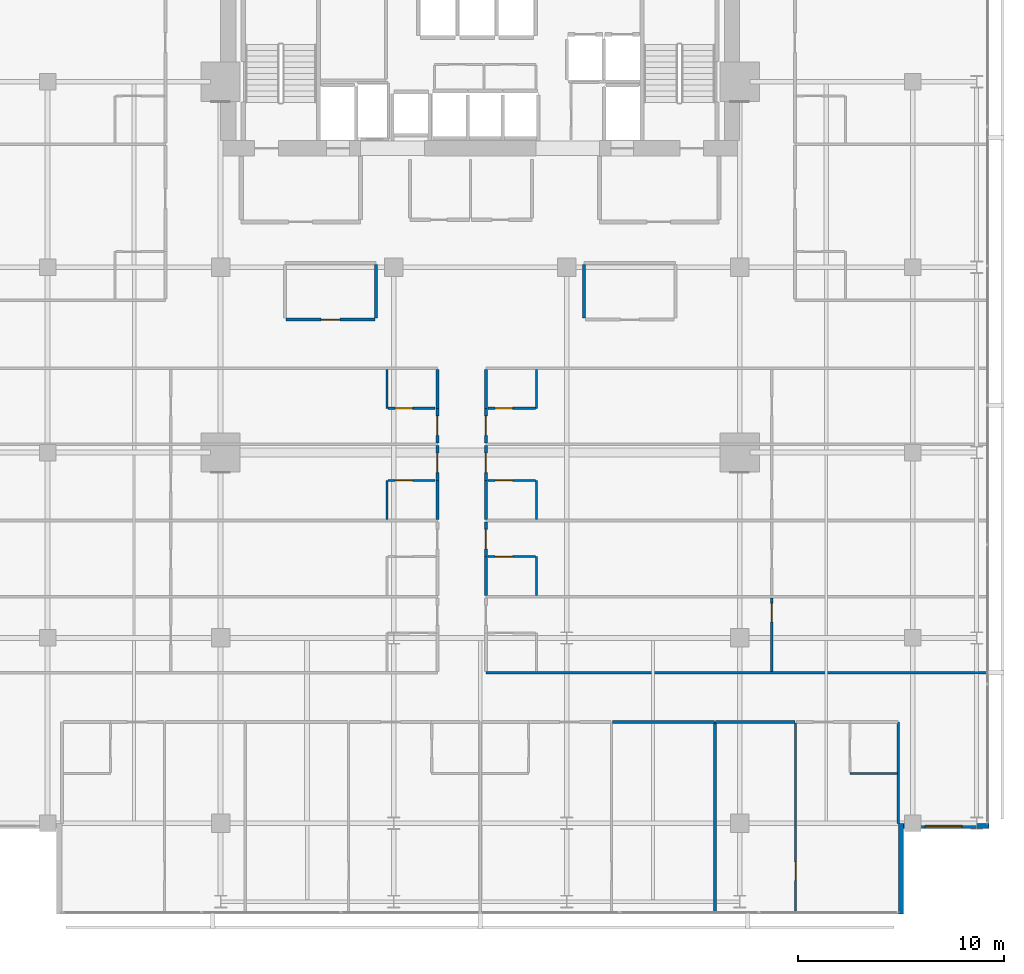
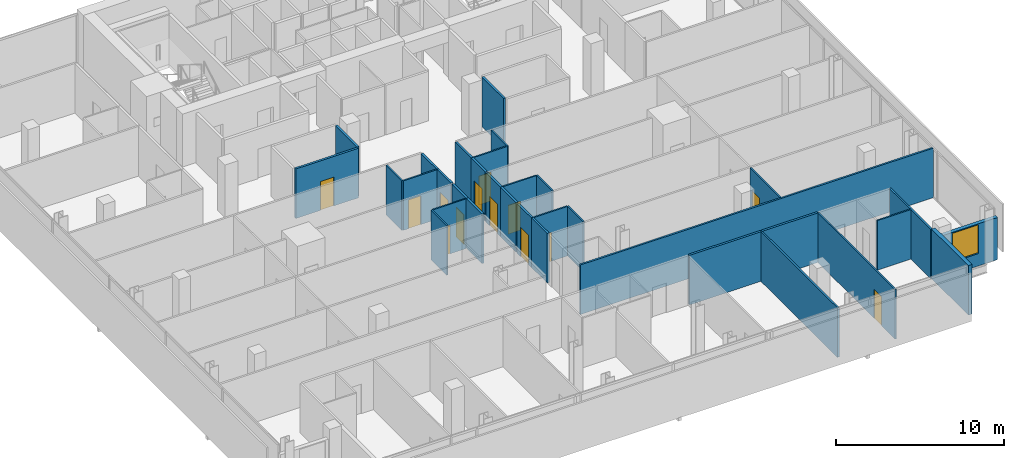
# One storey, part 28 of 34: 33 walls, 13 doors, 1 window, 14 openings.
"""IFC4 building model written with IfcOpenShell, lengths in metres."""

from ifc_helpers import new_model, si_unit, direction, frame, frame_2d, origin, place, context, subcontext, project, spatial, rectangle, extrude, material, layer, layer_set, type_object, element, fill, save


model = new_model("IFC4")

# Units and contexts
model_context = context("Model", 3, precision=1e-05, world=origin(), true_north=direction((0.0, 1.0)))
body_context = subcontext(model_context, "Body", "Model", "MODEL_VIEW")
ifc_project = project(units=[si_unit("LENGTHUNIT", "METRE"), si_unit("AREAUNIT", "SQUARE_METRE"), si_unit("VOLUMEUNIT", "CUBIC_METRE"), si_unit("PLANEANGLEUNIT", "RADIAN"), si_unit("MASSUNIT", "GRAM", prefix="KILO")], contexts=[model_context])

# Site, building, storey
site_placement = place(None, origin())
site = spatial("IfcSite", under=ifc_project, at=site_placement, CompositionType="ELEMENT")
building_placement = place(site_placement, origin())
building = spatial("IfcBuilding", under=site, at=building_placement, Name="Maruvema Waterfront Hotel and Observation Tower", CompositionType="ELEMENT")
storey_placement = place(building_placement, frame((0.0, 0.0, 192.85009765625)))
storey = spatial("IfcBuildingStorey", under=building, at=storey_placement, Name="L47", CompositionType="ELEMENT", Elevation=192.85009765625)

# Wall
ifc_material_1 = material(Name="Twin-stud acoustic gypsum drywall", Category="gypsum")
ifc_layer_1 = layer(ifc_material_1, 0.14990234375, Name="Acoustic Corridor and Suite Demising Wall 150 mm")
ifc_layer_set_1 = layer_set([ifc_layer_1], Name="Twin-stud acoustic gypsum drywall")
wall_type_1 = type_object("IfcWallType", Name="Acoustic Corridor and Suite Demising Wall 150 mm", PredefinedType="PARTITIONING", material=ifc_layer_set_1)
wall_1_placement = place(storey_placement, frame((32.75, 33.530029296875, 0.0), z_axis=(0.0, 0.0, 1.0), x_axis=(0.0, 1.0, 0.0)))
element("IfcWall", 1, at=wall_1_placement, inside=storey, type_object=wall_type_1, Name="L47 L47-M1 East Wall 029", PredefinedType="PARTITIONING", context=body_context, shape_type="SweptSolid", body=[
    extrude(rectangle(XDim=2.590087890625, YDim=0.14990234375, at=frame_2d((1.294921875, 0.0))), origin(), (0.0, 0.0, 1.0), 3.60986328125),
])

# Wall, opening, door
wall_2_placement = place(storey_placement, frame((28.3798828125, 33.449951171875, 0.0), z_axis=(0.0, 0.0, 1.0), x_axis=(1.0, 0.0, 0.0)))
wall_2 = element("IfcWall", 2, at=wall_2_placement, inside=storey, type_object=wall_type_1, Name="L47 L47-M1 Front 1 030", PredefinedType="PARTITIONING", context=body_context, shape_type="SweptSolid", body=[
    extrude(rectangle(XDim=4.31005859375, YDim=0.14990234375, at=frame_2d((2.155029296875, 0.0))), origin(), (0.0, 0.0, 1.0), 3.60986328125),
])
opening_1_placement = place(wall_2_placement, frame((1.705078125, 0.0, 0.0)))
opening_1 = element("IfcOpeningElement", 3, at=opening_1_placement, cuts=wall_2, Name="Opening DR-090", PredefinedType="OPENING", context=body_context, shape_type="SweptSolid", body=[
    extrude(rectangle(XDim=0.89990234375, YDim=2.10009765625, at=frame_2d((0.449951171875, 1.050048828125))), frame((0.0, 0.0849609375, 0.0), z_axis=(0.0, -1.0, 0.0), x_axis=(1.0, 0.0, 0.0)), (0.0, 0.0, 1.0), 0.169921875),
])
ifc_material_2 = material(Name="Solid-core lacquered timber leaf", Category="wood")
door_type_1 = type_object("IfcDoorType", Name="Accessible Toilet and Room Door 900x2100 mm", OperationType="NOTDEFINED", PredefinedType="DOOR", material=ifc_material_2)
door_1_placement = place(opening_1_placement, frame((0.89990234375, 0.0, 0.0), z_axis=(0.0, 0.0, 1.0), x_axis=(-1.0, 0.0, 0.0)))
door_1 = element("IfcDoor", 4, at=door_1_placement, inside=storey, type_object=door_type_1, Name="L47 Library Lounge 1 Door", OperationType="SINGLE_SWING_LEFT", OverallHeight=2.10009765625, OverallWidth=0.89990234375, PredefinedType="DOOR", context=body_context, shape_type="SweptSolid", body=[
    extrude(rectangle(XDim=0.89990234375, YDim=2.10009765625, at=frame_2d((0.449951171875, 1.050048828125))), frame((0.0, 0.02490234375, 0.0), z_axis=(0.0, -1.0, 0.0), x_axis=(1.0, 0.0, 0.0)), (0.0, 0.0, 1.0), 0.050048828125),
])
fill(opening_1, door_1)

# Walls
wall_3_placement = place(storey_placement, frame((42.85009765625, 33.530029296875, 0.0), z_axis=(0.0, 0.0, 1.0), x_axis=(0.0, 1.0, 0.0)))
element("IfcWall", 5, at=wall_3_placement, inside=storey, type_object=wall_type_1, Name="L47 L47-M2 West Wall 032", PredefinedType="PARTITIONING", context=body_context, shape_type="SweptSolid", body=[
    extrude(rectangle(XDim=2.590087890625, YDim=0.14990234375, at=frame_2d((1.294921875, 0.0))), origin(), (0.0, 0.0, 1.0), 3.60986328125),
])
wall_4_placement = place(storey_placement, frame((44.22412109375, 13.919921875, 0.0), z_axis=(0.0, 0.0, 1.0), x_axis=(1.0, 0.0, 0.0)))
element("IfcWall", 6, at=wall_4_placement, inside=storey, type_object=wall_type_1, Name="L47 Bedroom L47-S3 Back Wall 055", PredefinedType="PARTITIONING", context=body_context, shape_type="SweptSolid", body=[
    extrude(rectangle(XDim=4.955810546875, YDim=0.14990234375, at=frame_2d((2.47802734375, 0.0))), origin(), (0.0, 0.0, 1.0), 3.60986328125),
])
wall_5_placement = place(storey_placement, frame((49.219970703125, 13.919921875, 0.0), z_axis=(0.0, 0.0, 1.0), x_axis=(1.0, 0.0, 0.0)))
element("IfcWall", 7, at=wall_5_placement, inside=storey, type_object=wall_type_1, Name="L47 Bedroom L47-S4 Back Wall 061", PredefinedType="PARTITIONING", context=body_context, shape_type="SweptSolid", body=[
    extrude(rectangle(XDim=3.85595703125, YDim=0.14990234375, at=frame_2d((1.927978515625, 0.0))), origin(), (0.0, 0.0, 1.0), 3.60986328125),
])
wall_6_placement = place(storey_placement, frame((38.080078125, 20.06005859375, 0.0), z_axis=(0.0, 0.0, 1.0), x_axis=(0.0, 1.0, 0.0)))
element("IfcWall", 8, at=wall_6_placement, inside=storey, type_object=wall_type_1, Name="L47 Bath L47-E2 Wall 085", PredefinedType="PARTITIONING", context=body_context, shape_type="SweptSolid", body=[
    extrude(rectangle(XDim=1.889892578125, YDim=0.14990234375, at=frame_2d((0.94482421875, 0.0))), origin(), (0.0, 0.0, 1.0), 3.60986328125),
])

# Wall, opening, door
wall_7_placement = place(storey_placement, frame((38.080078125, 21.949951171875, 0.0), z_axis=(0.0, 0.0, 1.0), x_axis=(0.0, 1.0, 0.0)))
wall_7 = element("IfcWall", 9, at=wall_7_placement, inside=storey, type_object=wall_type_1, Name="L47 Room L47-E2 Corridor Wall 086", PredefinedType="PARTITIONING", context=body_context, shape_type="SweptSolid", body=[
    extrude(rectangle(XDim=1.68994140625, YDim=0.14990234375, at=frame_2d((0.844970703125, 0.0))), origin(), (0.0, 0.0, 1.0), 3.60986328125),
])
opening_2_placement = place(wall_7_placement, frame((0.3701171875, 0.0, 0.0)))
opening_2 = element("IfcOpeningElement", 10, at=opening_2_placement, cuts=wall_7, Name="Opening DR-095", PredefinedType="OPENING", context=body_context, shape_type="SweptSolid", body=[
    extrude(rectangle(XDim=0.949951171875, YDim=2.14990234375, at=frame_2d((0.47509765625, 1.074951171875))), frame((0.0, 0.0849609375, 0.0), z_axis=(0.0, -1.0, 0.0), x_axis=(1.0, 0.0, 0.0)), (0.0, 0.0, 1.0), 0.169921875),
])
ifc_material_3 = material(Name="Acoustic solid-core hardwood timber leaf", Category="wood")
door_type_2 = type_object("IfcDoorType", Name="Guestroom Entrance Fire Door 950x2150 mm", OperationType="NOTDEFINED", PredefinedType="DOOR", material=ifc_material_3)
door_2_placement = place(opening_2_placement, frame((0.949951171875, 0.0, 0.0), z_axis=(0.0, 0.0, 1.0), x_axis=(-1.0, 0.0, 0.0)))
door_2 = element("IfcDoor", 11, at=door_2_placement, inside=storey, type_object=door_type_2, Name="L47 Room L47-E2 Entrance Door", OperationType="SINGLE_SWING_LEFT", OverallHeight=2.14990234375, OverallWidth=0.949951171875, PredefinedType="DOOR", context=body_context, shape_type="SweptSolid", body=[
    extrude(rectangle(XDim=0.949951171875, YDim=2.14990234375, at=frame_2d((0.47509765625, 1.074951171875))), frame((0.0, 0.02490234375, 0.0), z_axis=(0.0, -1.0, 0.0), x_axis=(1.0, 0.0, 0.0)), (0.0, 0.0, 1.0), 0.050048828125),
])
fill(opening_2, door_2)

# Wall
wall_8_placement = place(storey_placement, frame((35.719970703125, 23.760009765625, 0.0), z_axis=(0.0, 0.0, 1.0), x_axis=(0.0, 1.0, 0.0)))
element("IfcWall", 12, at=wall_8_placement, inside=storey, type_object=wall_type_1, Name="L47 Bath L47-W3 Wall 092", PredefinedType="PARTITIONING", context=body_context, shape_type="SweptSolid", body=[
    extrude(rectangle(XDim=1.889892578125, YDim=0.14990234375, at=frame_2d((0.94482421875, 0.0))), origin(), (0.0, 0.0, 1.0), 3.60986328125),
])

# Wall, opening, door
wall_9_placement = place(storey_placement, frame((35.719970703125, 25.64990234375, 0.0), z_axis=(0.0, 0.0, 1.0), x_axis=(0.0, 1.0, 0.0)))
wall_9 = element("IfcWall", 13, at=wall_9_placement, inside=storey, type_object=wall_type_1, Name="L47 Room L47-W3 Corridor Wall 093", PredefinedType="PARTITIONING", context=body_context, shape_type="SweptSolid", body=[
    extrude(rectangle(XDim=1.690185546875, YDim=0.14990234375, at=frame_2d((0.84521484375, 0.0))), origin(), (0.0, 0.0, 1.0), 3.60986328125),
])
opening_3_placement = place(wall_9_placement, frame((0.3701171875, 0.0, 0.0)))
opening_3 = element("IfcOpeningElement", 14, at=opening_3_placement, cuts=wall_9, Name="Opening DR-095", PredefinedType="OPENING", context=body_context, shape_type="SweptSolid", body=[
    extrude(rectangle(XDim=0.949951171875, YDim=2.14990234375, at=frame_2d((0.47509765625, 1.074951171875))), frame((0.0, 0.0849609375, 0.0), z_axis=(0.0, -1.0, 0.0), x_axis=(1.0, 0.0, 0.0)), (0.0, 0.0, 1.0), 0.169921875),
])
door_3_placement = place(opening_3_placement, origin())
door_3 = element("IfcDoor", 15, at=door_3_placement, inside=storey, type_object=door_type_2, Name="L47 Room L47-W3 Entrance Door", OperationType="SINGLE_SWING_RIGHT", OverallHeight=2.14990234375, OverallWidth=0.949951171875, PredefinedType="DOOR", context=body_context, shape_type="SweptSolid", body=[
    extrude(rectangle(XDim=0.949951171875, YDim=2.14990234375, at=frame_2d((0.47509765625, 1.074951171875))), frame((0.0, 0.02490234375, 0.0), z_axis=(0.0, -1.0, 0.0), x_axis=(1.0, 0.0, 0.0)), (0.0, 0.0, 1.0), 0.050048828125),
])
fill(opening_3, door_3)

# Wall
wall_10_placement = place(storey_placement, frame((38.080078125, 23.760009765625, 0.0), z_axis=(0.0, 0.0, 1.0), x_axis=(0.0, 1.0, 0.0)))
element("IfcWall", 16, at=wall_10_placement, inside=storey, type_object=wall_type_1, Name="L47 Bath L47-E3 Wall 097", PredefinedType="PARTITIONING", context=body_context, shape_type="SweptSolid", body=[
    extrude(rectangle(XDim=1.889892578125, YDim=0.14990234375, at=frame_2d((0.94482421875, 0.0))), origin(), (0.0, 0.0, 1.0), 3.60986328125),
])

# Wall, opening, door
wall_11_placement = place(storey_placement, frame((38.080078125, 25.64990234375, 0.0), z_axis=(0.0, 0.0, 1.0), x_axis=(0.0, 1.0, 0.0)))
wall_11 = element("IfcWall", 17, at=wall_11_placement, inside=storey, type_object=wall_type_1, Name="L47 Room L47-E3 Corridor Wall 098", PredefinedType="PARTITIONING", context=body_context, shape_type="SweptSolid", body=[
    extrude(rectangle(XDim=1.690185546875, YDim=0.14990234375, at=frame_2d((0.84521484375, 0.0))), origin(), (0.0, 0.0, 1.0), 3.60986328125),
])
opening_4_placement = place(wall_11_placement, frame((0.3701171875, 0.0, 0.0)))
opening_4 = element("IfcOpeningElement", 18, at=opening_4_placement, cuts=wall_11, Name="Opening DR-095", PredefinedType="OPENING", context=body_context, shape_type="SweptSolid", body=[
    extrude(rectangle(XDim=0.949951171875, YDim=2.14990234375, at=frame_2d((0.47509765625, 1.074951171875))), frame((0.0, 0.0849609375, 0.0), z_axis=(0.0, -1.0, 0.0), x_axis=(1.0, 0.0, 0.0)), (0.0, 0.0, 1.0), 0.169921875),
])
door_4_placement = place(opening_4_placement, frame((0.949951171875, 0.0, 0.0), z_axis=(0.0, 0.0, 1.0), x_axis=(-1.0, 0.0, 0.0)))
door_4 = element("IfcDoor", 19, at=door_4_placement, inside=storey, type_object=door_type_2, Name="L47 Room L47-E3 Entrance Door", OperationType="SINGLE_SWING_LEFT", OverallHeight=2.14990234375, OverallWidth=0.949951171875, PredefinedType="DOOR", context=body_context, shape_type="SweptSolid", body=[
    extrude(rectangle(XDim=0.949951171875, YDim=2.14990234375, at=frame_2d((0.47509765625, 1.074951171875))), frame((0.0, 0.02490234375, 0.0), z_axis=(0.0, -1.0, 0.0), x_axis=(1.0, 0.0, 0.0)), (0.0, 0.0, 1.0), 0.050048828125),
])
fill(opening_4, door_4)

wall_12_placement = place(storey_placement, frame((35.719970703125, 27.4599609375, 0.0), z_axis=(0.0, 0.0, 1.0), x_axis=(0.0, 1.0, 0.0)))
wall_12 = element("IfcWall", 20, at=wall_12_placement, inside=storey, type_object=wall_type_1, Name="L47 Room L47-W4 Corridor Wall 104", PredefinedType="PARTITIONING", context=body_context, shape_type="SweptSolid", body=[
    extrude(rectangle(XDim=1.68994140625, YDim=0.14990234375, at=frame_2d((0.844970703125, 0.0))), origin(), (0.0, 0.0, 1.0), 3.60986328125),
])
opening_5_placement = place(wall_12_placement, frame((0.3701171875, 0.0, 0.0)))
opening_5 = element("IfcOpeningElement", 21, at=opening_5_placement, cuts=wall_12, Name="Opening DR-095", PredefinedType="OPENING", context=body_context, shape_type="SweptSolid", body=[
    extrude(rectangle(XDim=0.949951171875, YDim=2.14990234375, at=frame_2d((0.47509765625, 1.074951171875))), frame((0.0, 0.0849609375, 0.0), z_axis=(0.0, -1.0, 0.0), x_axis=(1.0, 0.0, 0.0)), (0.0, 0.0, 1.0), 0.169921875),
])
door_5_placement = place(opening_5_placement, origin())
door_5 = element("IfcDoor", 22, at=door_5_placement, inside=storey, type_object=door_type_2, Name="L47 Room L47-W4 Entrance Door", OperationType="SINGLE_SWING_RIGHT", OverallHeight=2.14990234375, OverallWidth=0.949951171875, PredefinedType="DOOR", context=body_context, shape_type="SweptSolid", body=[
    extrude(rectangle(XDim=0.949951171875, YDim=2.14990234375, at=frame_2d((0.47509765625, 1.074951171875))), frame((0.0, 0.02490234375, 0.0), z_axis=(0.0, -1.0, 0.0), x_axis=(1.0, 0.0, 0.0)), (0.0, 0.0, 1.0), 0.050048828125),
])
fill(opening_5, door_5)

# Wall
wall_13_placement = place(storey_placement, frame((35.719970703125, 29.14990234375, 0.0), z_axis=(0.0, 0.0, 1.0), x_axis=(0.0, 1.0, 0.0)))
element("IfcWall", 23, at=wall_13_placement, inside=storey, type_object=wall_type_1, Name="L47 Bath L47-W4 Wall 105", PredefinedType="PARTITIONING", context=body_context, shape_type="SweptSolid", body=[
    extrude(rectangle(XDim=1.89013671875, YDim=0.14990234375, at=frame_2d((0.945068359375, 0.0))), origin(), (0.0, 0.0, 1.0), 3.60986328125),
])

# Wall, opening, door
wall_14_placement = place(storey_placement, frame((38.080078125, 27.4599609375, 0.0), z_axis=(0.0, 0.0, 1.0), x_axis=(0.0, 1.0, 0.0)))
wall_14 = element("IfcWall", 24, at=wall_14_placement, inside=storey, type_object=wall_type_1, Name="L47 Room L47-E4 Corridor Wall 109", PredefinedType="PARTITIONING", context=body_context, shape_type="SweptSolid", body=[
    extrude(rectangle(XDim=1.68994140625, YDim=0.14990234375, at=frame_2d((0.844970703125, 0.0))), origin(), (0.0, 0.0, 1.0), 3.60986328125),
])
opening_6_placement = place(wall_14_placement, frame((0.3701171875, 0.0, 0.0)))
opening_6 = element("IfcOpeningElement", 25, at=opening_6_placement, cuts=wall_14, Name="Opening DR-095", PredefinedType="OPENING", context=body_context, shape_type="SweptSolid", body=[
    extrude(rectangle(XDim=0.949951171875, YDim=2.14990234375, at=frame_2d((0.47509765625, 1.074951171875))), frame((0.0, 0.0849609375, 0.0), z_axis=(0.0, -1.0, 0.0), x_axis=(1.0, 0.0, 0.0)), (0.0, 0.0, 1.0), 0.169921875),
])
door_6_placement = place(opening_6_placement, frame((0.949951171875, 0.0, 0.0), z_axis=(0.0, 0.0, 1.0), x_axis=(-1.0, 0.0, 0.0)))
door_6 = element("IfcDoor", 26, at=door_6_placement, inside=storey, type_object=door_type_2, Name="L47 Room L47-E4 Entrance Door", OperationType="SINGLE_SWING_LEFT", OverallHeight=2.14990234375, OverallWidth=0.949951171875, PredefinedType="DOOR", context=body_context, shape_type="SweptSolid", body=[
    extrude(rectangle(XDim=0.949951171875, YDim=2.14990234375, at=frame_2d((0.47509765625, 1.074951171875))), frame((0.0, 0.02490234375, 0.0), z_axis=(0.0, -1.0, 0.0), x_axis=(1.0, 0.0, 0.0)), (0.0, 0.0, 1.0), 0.050048828125),
])
fill(opening_6, door_6)

# Walls
wall_15_placement = place(storey_placement, frame((38.080078125, 29.14990234375, 0.0), z_axis=(0.0, 0.0, 1.0), x_axis=(0.0, 1.0, 0.0)))
element("IfcWall", 27, at=wall_15_placement, inside=storey, type_object=wall_type_1, Name="L47 Bath L47-E4 Wall 110", PredefinedType="PARTITIONING", context=body_context, shape_type="SweptSolid", body=[
    extrude(rectangle(XDim=1.89013671875, YDim=0.14990234375, at=frame_2d((0.945068359375, 0.0))), origin(), (0.0, 0.0, 1.0), 3.60986328125),
])
ifc_material_4 = material(Name="Moisture-resistant cement-board drywall", Category="gypsum")
ifc_layer_2 = layer(ifc_material_4, 0.10009765625, Name="En-Suite Moisture-Resistant Partition 100 mm")
ifc_layer_set_2 = layer_set([ifc_layer_2], Name="Moisture-resistant cement-board drywall")
wall_type_2 = type_object("IfcWallType", Name="En-Suite Moisture-Resistant Partition 100 mm", PredefinedType="PARTITIONING", material=ifc_layer_set_2)
wall_16_placement = place(storey_placement, frame((55.75, 11.419921875, 0.0), z_axis=(0.0, 0.0, 1.0), x_axis=(1.0, 0.0, 0.0)))
element("IfcWall", 28, at=wall_16_placement, inside=storey, type_object=wall_type_2, Name="L47 En-Suite L47-S4 South 059", PredefinedType="PARTITIONING", context=body_context, shape_type="SweptSolid", body=[
    extrude(rectangle(XDim=2.31005859375, YDim=0.10009765625, at=frame_2d((1.155029296875, 0.0))), origin(), (0.0, 0.0, 1.0), 3.60986328125),
])

# Wall, opening, door
wall_17_placement = place(storey_placement, frame((53.115966796875, 4.6298828125, 0.0), z_axis=(0.0, 0.0, 1.0), x_axis=(0.0, 1.0, 0.0)))
wall_17 = element("IfcWall", 29, at=wall_17_placement, inside=storey, type_object=wall_type_2, Name="L47 Suite L47-S4 Split 063", PredefinedType="PARTITIONING", context=body_context, shape_type="SweptSolid", body=[
    extrude(rectangle(XDim=9.230224609375, YDim=0.10009765625, at=frame_2d((4.615234375, 0.0))), origin(), (0.0, 0.0, 1.0), 3.60986328125),
])
opening_7_placement = place(wall_17_placement, frame((1.60009765625, 0.0, 0.0)))
opening_7 = element("IfcOpeningElement", 30, at=opening_7_placement, cuts=wall_17, Name="Opening DR-090", PredefinedType="OPENING", context=body_context, shape_type="SweptSolid", body=[
    extrude(rectangle(XDim=0.89990234375, YDim=2.10009765625, at=frame_2d((0.449951171875, 1.050048828125))), frame((0.0, 0.06005859375, 0.0), z_axis=(0.0, -1.0, 0.0), x_axis=(1.0, 0.0, 0.0)), (0.0, 0.0, 1.0), 0.1201171875),
])
door_7_placement = place(opening_7_placement, frame((0.89990234375, 0.0, 0.0), z_axis=(0.0, 0.0, 1.0), x_axis=(-1.0, 0.0, 0.0)))
door_7 = element("IfcDoor", 31, at=door_7_placement, inside=storey, type_object=door_type_1, Name="L47 Suite L47-S4 Bedroom Door", OperationType="SINGLE_SWING_RIGHT", OverallHeight=2.10009765625, OverallWidth=0.89990234375, PredefinedType="DOOR", context=body_context, shape_type="SweptSolid", body=[
    extrude(rectangle(XDim=0.89990234375, YDim=2.10009765625, at=frame_2d((0.449951171875, 1.050048828125))), frame((0.0, 0.02490234375, 0.0), z_axis=(0.0, -1.0, 0.0), x_axis=(1.0, 0.0, 0.0)), (0.0, 0.0, 1.0), 0.050048828125),
])
fill(opening_7, door_7)

wall_18_placement = place(storey_placement, frame((51.954345703125, 16.360107421875, 0.0), z_axis=(0.0, 0.0, 1.0), x_axis=(0.0, 1.0, 0.0)))
wall_18 = element("IfcWall", 32, at=wall_18_placement, inside=storey, type_object=wall_type_2, Name="L47 Suite L47-E1 Split 077", PredefinedType="PARTITIONING", context=body_context, shape_type="SweptSolid", body=[
    extrude(rectangle(XDim=3.579833984375, YDim=0.10009765625, at=frame_2d((1.7900390625, 0.0))), origin(), (0.0, 0.0, 1.0), 3.60986328125),
])
opening_8_placement = place(wall_18_placement, frame((2.419921875, 0.0, 0.0)))
opening_8 = element("IfcOpeningElement", 33, at=opening_8_placement, cuts=wall_18, Name="Opening DR-090", PredefinedType="OPENING", context=body_context, shape_type="SweptSolid", body=[
    extrude(rectangle(XDim=0.89990234375, YDim=2.10009765625, at=frame_2d((0.449951171875, 1.050048828125))), frame((0.0, 0.06005859375, 0.0), z_axis=(0.0, -1.0, 0.0), x_axis=(1.0, 0.0, 0.0)), (0.0, 0.0, 1.0), 0.1201171875),
])
door_8_placement = place(opening_8_placement, frame((0.89990234375, 0.0, 0.0), z_axis=(0.0, 0.0, 1.0), x_axis=(-1.0, 0.0, 0.0)))
door_8 = element("IfcDoor", 34, at=door_8_placement, inside=storey, type_object=door_type_1, Name="L47 Suite L47-E1 Bedroom Door", OperationType="SINGLE_SWING_RIGHT", OverallHeight=2.10009765625, OverallWidth=0.89990234375, PredefinedType="DOOR", context=body_context, shape_type="SweptSolid", body=[
    extrude(rectangle(XDim=0.89990234375, YDim=2.10009765625, at=frame_2d((0.449951171875, 1.050048828125))), frame((0.0, 0.02490234375, 0.0), z_axis=(0.0, -1.0, 0.0), x_axis=(1.0, 0.0, 0.0)), (0.0, 0.0, 1.0), 0.050048828125),
])
fill(opening_8, door_8)

# Wall
wall_19_placement = place(storey_placement, frame((40.530029296875, 20.06005859375, 0.0), z_axis=(0.0, 0.0, 1.0), x_axis=(0.0, 1.0, 0.0)))
element("IfcWall", 35, at=wall_19_placement, inside=storey, type_object=wall_type_2, Name="L47 En-Suite L47-E2 E 087", PredefinedType="PARTITIONING", context=body_context, shape_type="SweptSolid", body=[
    extrude(rectangle(XDim=1.889892578125, YDim=0.10009765625, at=frame_2d((0.94482421875, 0.0))), origin(), (0.0, 0.0, 1.0), 3.60986328125),
])

# Wall, opening, door
wall_20_placement = place(storey_placement, frame((38.179931640625, 21.949951171875, 0.0), z_axis=(0.0, 0.0, 1.0), x_axis=(1.0, 0.0, 0.0)))
wall_20 = element("IfcWall", 36, at=wall_20_placement, inside=storey, type_object=wall_type_2, Name="L47 En-Suite L47-E2 N 088", PredefinedType="PARTITIONING", context=body_context, shape_type="SweptSolid", body=[
    extrude(rectangle(XDim=2.300048828125, YDim=0.10009765625, at=frame_2d((1.14990234375, 0.0))), origin(), (0.0, 0.0, 1.0), 3.60986328125),
])
opening_9_placement = place(wall_20_placement, frame((0.35009765625, 0.0, 0.0)))
opening_9 = element("IfcOpeningElement", 37, at=opening_9_placement, cuts=wall_20, Name="Opening DR-085", PredefinedType="OPENING", context=body_context, shape_type="SweptSolid", body=[
    extrude(rectangle(XDim=0.85009765625, YDim=2.10009765625, at=frame_2d((0.425048828125, 1.050048828125))), frame((0.0, 0.06005859375, 0.0), z_axis=(0.0, -1.0, 0.0), x_axis=(1.0, 0.0, 0.0)), (0.0, 0.0, 1.0), 0.1201171875),
])
ifc_material_5 = material(Name="Moisture-resistant solid timber leaf", Category="wood")
door_type_3 = type_object("IfcDoorType", Name="En-Suite Bathroom Door 850x2100 mm", OperationType="NOTDEFINED", PredefinedType="DOOR", material=ifc_material_5)
door_9_placement = place(opening_9_placement, origin())
door_9 = element("IfcDoor", 38, at=door_9_placement, inside=storey, type_object=door_type_3, Name="L47 En-Suite L47-E2 Door", OperationType="SINGLE_SWING_RIGHT", OverallHeight=2.10009765625, OverallWidth=0.85009765625, PredefinedType="DOOR", context=body_context, shape_type="SweptSolid", body=[
    extrude(rectangle(XDim=0.85009765625, YDim=2.10009765625, at=frame_2d((0.425048828125, 1.050048828125))), frame((0.0, 0.02490234375, 0.0), z_axis=(0.0, -1.0, 0.0), x_axis=(1.0, 0.0, 0.0)), (0.0, 0.0, 1.0), 0.050048828125),
])
fill(opening_9, door_9)

# Wall
wall_21_placement = place(storey_placement, frame((33.27001953125, 23.760009765625, 0.0), z_axis=(0.0, 0.0, 1.0), x_axis=(0.0, 1.0, 0.0)))
element("IfcWall", 39, at=wall_21_placement, inside=storey, type_object=wall_type_2, Name="L47 En-Suite L47-W3 W 094", PredefinedType="PARTITIONING", context=body_context, shape_type="SweptSolid", body=[
    extrude(rectangle(XDim=1.889892578125, YDim=0.10009765625, at=frame_2d((0.94482421875, 0.0))), origin(), (0.0, 0.0, 1.0), 3.60986328125),
])

# Wall, opening, door
wall_22_placement = place(storey_placement, frame((33.320068359375, 25.64990234375, 0.0), z_axis=(0.0, 0.0, 1.0), x_axis=(1.0, 0.0, 0.0)))
wall_22 = element("IfcWall", 40, at=wall_22_placement, inside=storey, type_object=wall_type_2, Name="L47 En-Suite L47-W3 N 095", PredefinedType="PARTITIONING", context=body_context, shape_type="SweptSolid", body=[
    extrude(rectangle(XDim=2.300048828125, YDim=0.10009765625, at=frame_2d((1.14990234375, 0.0))), origin(), (0.0, 0.0, 1.0), 3.60986328125),
])
opening_10_placement = place(wall_22_placement, frame((0.35009765625, 0.0, 0.0)))
opening_10 = element("IfcOpeningElement", 41, at=opening_10_placement, cuts=wall_22, Name="Opening DR-085", PredefinedType="OPENING", context=body_context, shape_type="SweptSolid", body=[
    extrude(rectangle(XDim=0.85009765625, YDim=2.10009765625, at=frame_2d((0.425048828125, 1.050048828125))), frame((0.0, 0.06005859375, 0.0), z_axis=(0.0, -1.0, 0.0), x_axis=(1.0, 0.0, 0.0)), (0.0, 0.0, 1.0), 0.1201171875),
])
door_10_placement = place(opening_10_placement, origin())
door_10 = element("IfcDoor", 42, at=door_10_placement, inside=storey, type_object=door_type_3, Name="L47 En-Suite L47-W3 Door", OperationType="SINGLE_SWING_LEFT", OverallHeight=2.10009765625, OverallWidth=0.85009765625, PredefinedType="DOOR", context=body_context, shape_type="SweptSolid", body=[
    extrude(rectangle(XDim=0.85009765625, YDim=2.10009765625, at=frame_2d((0.425048828125, 1.050048828125))), frame((0.0, 0.02490234375, 0.0), z_axis=(0.0, -1.0, 0.0), x_axis=(1.0, 0.0, 0.0)), (0.0, 0.0, 1.0), 0.050048828125),
])
fill(opening_10, door_10)

# Wall
wall_23_placement = place(storey_placement, frame((40.530029296875, 23.760009765625, 0.0), z_axis=(0.0, 0.0, 1.0), x_axis=(0.0, 1.0, 0.0)))
element("IfcWall", 43, at=wall_23_placement, inside=storey, type_object=wall_type_2, Name="L47 En-Suite L47-E3 E 099", PredefinedType="PARTITIONING", context=body_context, shape_type="SweptSolid", body=[
    extrude(rectangle(XDim=1.889892578125, YDim=0.10009765625, at=frame_2d((0.94482421875, 0.0))), origin(), (0.0, 0.0, 1.0), 3.60986328125),
])

# Wall, opening, door
wall_24_placement = place(storey_placement, frame((38.179931640625, 25.64990234375, 0.0), z_axis=(0.0, 0.0, 1.0), x_axis=(1.0, 0.0, 0.0)))
wall_24 = element("IfcWall", 44, at=wall_24_placement, inside=storey, type_object=wall_type_2, Name="L47 En-Suite L47-E3 N 100", PredefinedType="PARTITIONING", context=body_context, shape_type="SweptSolid", body=[
    extrude(rectangle(XDim=2.300048828125, YDim=0.10009765625, at=frame_2d((1.14990234375, 0.0))), origin(), (0.0, 0.0, 1.0), 3.60986328125),
])
opening_11_placement = place(wall_24_placement, frame((0.35009765625, 0.0, 0.0)))
opening_11 = element("IfcOpeningElement", 45, at=opening_11_placement, cuts=wall_24, Name="Opening DR-085", PredefinedType="OPENING", context=body_context, shape_type="SweptSolid", body=[
    extrude(rectangle(XDim=0.85009765625, YDim=2.10009765625, at=frame_2d((0.425048828125, 1.050048828125))), frame((0.0, 0.06005859375, 0.0), z_axis=(0.0, -1.0, 0.0), x_axis=(1.0, 0.0, 0.0)), (0.0, 0.0, 1.0), 0.1201171875),
])
door_11_placement = place(opening_11_placement, origin())
door_11 = element("IfcDoor", 46, at=door_11_placement, inside=storey, type_object=door_type_3, Name="L47 En-Suite L47-E3 Door", OperationType="SINGLE_SWING_RIGHT", OverallHeight=2.10009765625, OverallWidth=0.85009765625, PredefinedType="DOOR", context=body_context, shape_type="SweptSolid", body=[
    extrude(rectangle(XDim=0.85009765625, YDim=2.10009765625, at=frame_2d((0.425048828125, 1.050048828125))), frame((0.0, 0.02490234375, 0.0), z_axis=(0.0, -1.0, 0.0), x_axis=(1.0, 0.0, 0.0)), (0.0, 0.0, 1.0), 0.050048828125),
])
fill(opening_11, door_11)

# Wall
wall_25_placement = place(storey_placement, frame((33.27001953125, 29.14990234375, 0.0), z_axis=(0.0, 0.0, 1.0), x_axis=(0.0, 1.0, 0.0)))
element("IfcWall", 47, at=wall_25_placement, inside=storey, type_object=wall_type_2, Name="L47 En-Suite L47-W4 W 106", PredefinedType="PARTITIONING", context=body_context, shape_type="SweptSolid", body=[
    extrude(rectangle(XDim=1.89013671875, YDim=0.10009765625, at=frame_2d((0.945068359375, 0.0))), origin(), (0.0, 0.0, 1.0), 3.60986328125),
])

# Wall, opening, door
wall_26_placement = place(storey_placement, frame((33.320068359375, 29.14990234375, 0.0), z_axis=(0.0, 0.0, 1.0), x_axis=(1.0, 0.0, 0.0)))
wall_26 = element("IfcWall", 48, at=wall_26_placement, inside=storey, type_object=wall_type_2, Name="L47 En-Suite L47-W4 S 107", PredefinedType="PARTITIONING", context=body_context, shape_type="SweptSolid", body=[
    extrude(rectangle(XDim=2.300048828125, YDim=0.10009765625, at=frame_2d((1.14990234375, 0.0))), origin(), (0.0, 0.0, 1.0), 3.60986328125),
])
opening_12_placement = place(wall_26_placement, frame((0.35009765625, 0.0, 0.0)))
opening_12 = element("IfcOpeningElement", 49, at=opening_12_placement, cuts=wall_26, Name="Opening DR-085", PredefinedType="OPENING", context=body_context, shape_type="SweptSolid", body=[
    extrude(rectangle(XDim=0.85009765625, YDim=2.10009765625, at=frame_2d((0.425048828125, 1.050048828125))), frame((0.0, 0.06005859375, 0.0), z_axis=(0.0, -1.0, 0.0), x_axis=(1.0, 0.0, 0.0)), (0.0, 0.0, 1.0), 0.1201171875),
])
door_12_placement = place(opening_12_placement, frame((0.85009765625, 0.0, 0.0), z_axis=(0.0, 0.0, 1.0), x_axis=(-1.0, 0.0, 0.0)))
door_12 = element("IfcDoor", 50, at=door_12_placement, inside=storey, type_object=door_type_3, Name="L47 En-Suite L47-W4 Door", OperationType="SINGLE_SWING_LEFT", OverallHeight=2.10009765625, OverallWidth=0.85009765625, PredefinedType="DOOR", context=body_context, shape_type="SweptSolid", body=[
    extrude(rectangle(XDim=0.85009765625, YDim=2.10009765625, at=frame_2d((0.425048828125, 1.050048828125))), frame((0.0, 0.02490234375, 0.0), z_axis=(0.0, -1.0, 0.0), x_axis=(1.0, 0.0, 0.0)), (0.0, 0.0, 1.0), 0.050048828125),
])
fill(opening_12, door_12)

# Wall
wall_27_placement = place(storey_placement, frame((40.530029296875, 29.14990234375, 0.0), z_axis=(0.0, 0.0, 1.0), x_axis=(0.0, 1.0, 0.0)))
element("IfcWall", 51, at=wall_27_placement, inside=storey, type_object=wall_type_2, Name="L47 En-Suite L47-E4 E 111", PredefinedType="PARTITIONING", context=body_context, shape_type="SweptSolid", body=[
    extrude(rectangle(XDim=1.89013671875, YDim=0.10009765625, at=frame_2d((0.945068359375, 0.0))), origin(), (0.0, 0.0, 1.0), 3.60986328125),
])

# Wall, opening, door
wall_28_placement = place(storey_placement, frame((38.179931640625, 29.14990234375, 0.0), z_axis=(0.0, 0.0, 1.0), x_axis=(1.0, 0.0, 0.0)))
wall_28 = element("IfcWall", 52, at=wall_28_placement, inside=storey, type_object=wall_type_2, Name="L47 En-Suite L47-E4 S 112", PredefinedType="PARTITIONING", context=body_context, shape_type="SweptSolid", body=[
    extrude(rectangle(XDim=2.300048828125, YDim=0.10009765625, at=frame_2d((1.14990234375, 0.0))), origin(), (0.0, 0.0, 1.0), 3.60986328125),
])
opening_13_placement = place(wall_28_placement, frame((0.35009765625, 0.0, 0.0)))
opening_13 = element("IfcOpeningElement", 53, at=opening_13_placement, cuts=wall_28, Name="Opening DR-085", PredefinedType="OPENING", context=body_context, shape_type="SweptSolid", body=[
    extrude(rectangle(XDim=0.85009765625, YDim=2.10009765625, at=frame_2d((0.425048828125, 1.050048828125))), frame((0.0, 0.06005859375, 0.0), z_axis=(0.0, -1.0, 0.0), x_axis=(1.0, 0.0, 0.0)), (0.0, 0.0, 1.0), 0.1201171875),
])
door_13_placement = place(opening_13_placement, frame((0.85009765625, 0.0, 0.0), z_axis=(0.0, 0.0, 1.0), x_axis=(-1.0, 0.0, 0.0)))
door_13 = element("IfcDoor", 54, at=door_13_placement, inside=storey, type_object=door_type_3, Name="L47 En-Suite L47-E4 Door", OperationType="SINGLE_SWING_RIGHT", OverallHeight=2.10009765625, OverallWidth=0.85009765625, PredefinedType="DOOR", context=body_context, shape_type="SweptSolid", body=[
    extrude(rectangle(XDim=0.85009765625, YDim=2.10009765625, at=frame_2d((0.425048828125, 1.050048828125))), frame((0.0, 0.02490234375, 0.0), z_axis=(0.0, -1.0, 0.0), x_axis=(1.0, 0.0, 0.0)), (0.0, 0.0, 1.0), 0.050048828125),
])
fill(opening_13, door_13)

# Wall
ifc_material_6 = material(Name="Precast concrete C45/55 with honed Pernambuco granite facing", Category="masonry")
ifc_layer_3 = layer(ifc_material_6, 0.260009765625, Name="Exterior Granite Clad Spandrel and Pier Wall 260 mm")
ifc_layer_set_3 = layer_set([ifc_layer_3], Name="Precast concrete C45/55 with honed Pernambuco granite facing")
wall_type_3 = type_object("IfcWallType", Name="Exterior Granite Clad Spandrel and Pier Wall 260 mm", PredefinedType="SOLIDWALL", material=ifc_layer_set_3)
wall_29_placement = place(storey_placement, frame((58.22998046875, 9.0, 0.0), z_axis=(0.0, 0.0, 1.0), x_axis=(0.0, -1.0, 0.0)))
element("IfcWall", 55, at=wall_29_placement, inside=storey, type_object=wall_type_3, Name="L47 Corner Notch Granite Pier Wall SE1", PredefinedType="SOLIDWALL", context=body_context, shape_type="SweptSolid", body=[
    extrude(rectangle(XDim=4.39990234375, YDim=0.260009765625, at=frame_2d((2.199951171875, 0.0))), origin(), (0.0, 0.0, 1.0), 3.60986328125),
])

# Wall, opening, window
wall_30_placement = place(storey_placement, frame((62.5, 8.8701171875, 0.0), z_axis=(0.0, 0.0, 1.0), x_axis=(-1.0, 0.0, 0.0)))
wall_30 = element("IfcWall", 56, at=wall_30_placement, inside=storey, type_object=wall_type_3, Name="L47 Corner Notch Granite Pier Wall SE2", PredefinedType="SOLIDWALL", context=body_context, shape_type="SweptSolid", body=[
    extrude(rectangle(XDim=4.39990234375, YDim=0.260009765625, at=frame_2d((2.199951171875, 0.0))), origin(), (0.0, 0.0, 1.0), 3.07080078125),
])
opening_14_placement = place(wall_30_placement, frame((1.300048828125, 0.0, 0.89990234375)))
opening_14 = element("IfcOpeningElement", 57, at=opening_14_placement, cuts=wall_30, Name="Opening WN-02", PredefinedType="OPENING", context=body_context, shape_type="SweptSolid", body=[
    extrude(rectangle(XDim=1.800048828125, YDim=2.10009765625, at=frame_2d((0.89990234375, 1.050048828125))), frame((0.0, 0.14013671875, 0.0), z_axis=(0.0, -1.0, 0.0), x_axis=(1.0, 0.0, 0.0)), (0.0, 0.0, 1.0), 0.280029296875),
])
ifc_material_7 = material(Name="Anodised bronze aluminium frame with laminated low-E glass", Category="aluminium")
window_type = type_object("IfcWindowType", Name="Upper Notch Feature Window 1800x2100 mm", PartitioningType="SINGLE_PANEL", PredefinedType="WINDOW", material=ifc_material_7)
window_placement = place(opening_14_placement, origin())
window = element("IfcWindow", 58, at=window_placement, inside=storey, type_object=window_type, Name="L47 Corner Notch Punched Window SE2", OverallHeight=2.10009765625, OverallWidth=1.800048828125, PartitioningType="SINGLE_PANEL", PredefinedType="WINDOW", context=body_context, shape_type="SweptSolid", body=[
    extrude(rectangle(XDim=1.800048828125, YDim=2.10009765625, at=frame_2d((0.89990234375, 1.050048828125))), frame((0.0, 0.030029296875, 0.0), z_axis=(0.0, -1.0, 0.0), x_axis=(1.0, 0.0, 0.0)), (0.0, 0.0, 1.0), 0.06005859375),
])
fill(opening_14, window)

# Walls
ifc_material_8 = material(Name="Acoustic gypsum plasterboard drywall", Category="gypsum")
ifc_layer_4 = layer(ifc_material_8, 0.125, Name="Guestroom Acoustic Demising Wall 125 mm")
ifc_layer_set_4 = layer_set([ifc_layer_4], Name="Acoustic gypsum plasterboard drywall")
wall_type_4 = type_object("IfcWallType", Name="Guestroom Acoustic Demising Wall 125 mm", PredefinedType="PARTITIONING", material=ifc_layer_set_4)
wall_31_placement = place(storey_placement, frame((58.10009765625, 9.0, 0.0), z_axis=(0.0, 0.0, 1.0), x_axis=(0.0, 1.0, 0.0)))
element("IfcWall", 59, at=wall_31_placement, inside=storey, type_object=wall_type_4, Name="L47 Z2 S East End 036", PredefinedType="PARTITIONING", context=body_context, shape_type="SweptSolid", body=[
    extrude(rectangle(XDim=4.919921875, YDim=0.125, at=frame_2d((2.4599609375, 0.0))), origin(), (0.0, 0.0, 1.0), 3.60986328125),
])
wall_32_placement = place(storey_placement, frame((49.199951171875, 4.699951171875, 0.0), z_axis=(0.0, 0.0, 1.0), x_axis=(0.0, 1.0, 0.0)))
element("IfcWall", 60, at=wall_32_placement, inside=storey, type_object=wall_type_4, Name="L47 Z2 S Demising 4 057", PredefinedType="PARTITIONING", context=body_context, shape_type="SweptSolid", body=[
    extrude(rectangle(XDim=9.219970703125, YDim=0.125, at=frame_2d((4.60986328125, 0.0))), origin(), (0.0, 0.0, 1.0), 3.60986328125),
])
wall_33_placement = place(storey_placement, frame((38.080078125, 16.300048828125, 0.0), z_axis=(0.0, 0.0, 1.0), x_axis=(1.0, 0.0, 0.0)))
element("IfcWall", 61, at=wall_33_placement, inside=storey, type_object=wall_type_4, Name="L47 Z2 E Bot End 065", PredefinedType="PARTITIONING", context=body_context, shape_type="SweptSolid", body=[
    extrude(rectangle(XDim=24.31982421875, YDim=0.125, at=frame_2d((12.159912109375, 0.0))), origin(), (0.0, 0.0, 1.0), 3.60986328125),
])

save(model, "model.ifc")
